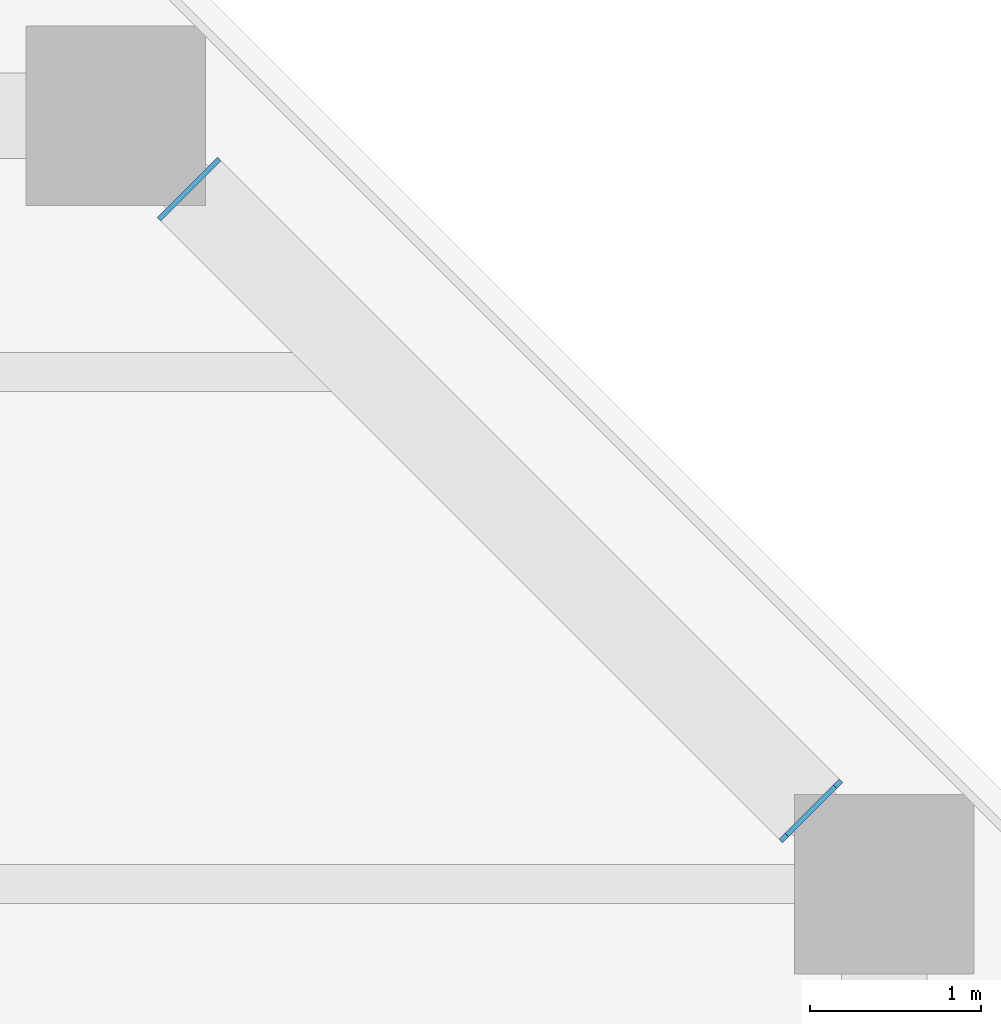
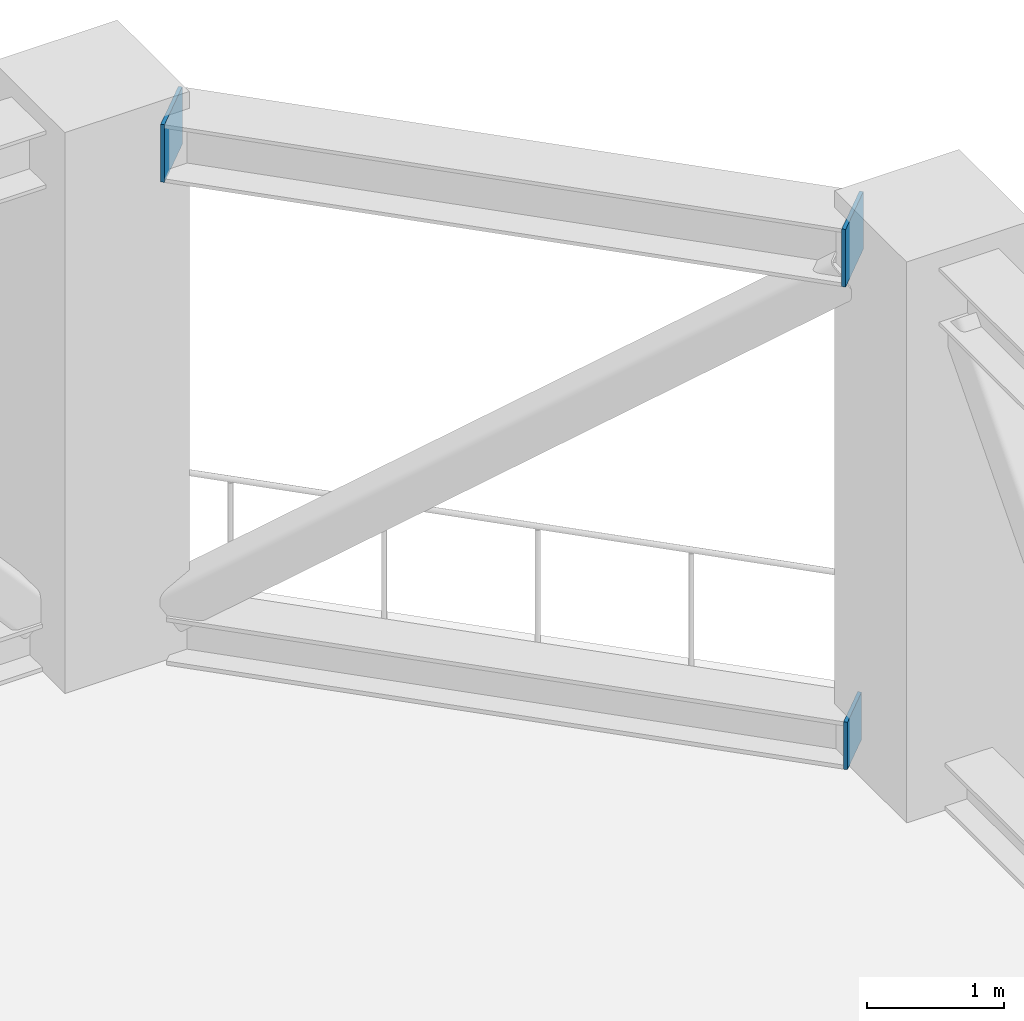
# One storey, part 12 of 14: 3 discrete accessories.
"""IFC4 building model written with IfcOpenShell, lengths in metres."""

from ifc_helpers import new_model, si_unit, direction, frame, origin, origin_2d, place, context, subcontext, project, spatial, rectangle, extrude, material, element, save


model = new_model("IFC4")

# Units and contexts
model_context = context("Model", 3, precision=1e-05, world=origin(), true_north=direction((0.0, 1.0)))
body_context = subcontext(model_context, "Body", "Model", "MODEL_VIEW")
ifc_project = project(units=[si_unit("LENGTHUNIT", "METRE"), si_unit("AREAUNIT", "SQUARE_METRE"), si_unit("VOLUMEUNIT", "CUBIC_METRE"), si_unit("PLANEANGLEUNIT", "RADIAN"), si_unit("MASSUNIT", "GRAM", prefix="KILO")], contexts=[model_context])

# Site, building, storey
site_placement = place(None, origin())
site = spatial("IfcSite", under=ifc_project, at=site_placement, CompositionType="ELEMENT")
building_placement = place(site_placement, origin())
building = spatial("IfcBuilding", under=site, at=building_placement, Name="Quoin Convention Tower", CompositionType="ELEMENT")
storey_placement = place(building_placement, frame((0.0, 0.0, 138.10009765625)))
storey = spatial("IfcBuildingStorey", under=building, at=storey_placement, Name="L36", CompositionType="ELEMENT", Elevation=138.10009765625)

# Discrete accessories
ifc_material = material(Name="Steel Grade 350", Category="steel")
discrete_accessory_placement = place(storey_placement, frame((76.070556640625, 76.929443359375, 0.0), z_axis=(0.0, 0.0, 1.0), x_axis=(0.707106781187, -0.707106781187, 0.0)))
element("IfcDiscreteAccessory", 1, at=discrete_accessory_placement, inside=storey, material=ifc_material, Name="TRUSS END PLATE TRS-L36-BC-76500_76500-72000_81000 A", ObjectType="Truss end plate", PredefinedType="USERDEFINED", context=body_context, shape_type="SweptSolid", body=[
    extrude(rectangle(XDim=0.030029296875, YDim=0.39990234375, at=origin_2d()), origin(), (0.0, 0.0, 1.0), 0.422119140625),
])
for number, where, z_axis, x_axis, name in (
    (2, (76.070556640625, 76.929443359375, 4.3359375), (0.0, 0.0, 1.0), (0.707106781187, -0.707106781187, 0.0), "TRUSS END PLATE TRS-L36-TC-76500_76500-72000_81000 A"),
    (3, (72.429443359375, 80.570556640625, 4.3359375), (0.0, 0.0, 1.0), (-0.707106781187, 0.707106781187, 0.0), "TRUSS END PLATE TRS-L36-TC-76500_76500-72000_81000 B"),
):
    element("IfcDiscreteAccessory", number, at=place(storey_placement, frame(where, z_axis=z_axis, x_axis=x_axis)), inside=storey, material=ifc_material, Name=name, ObjectType="Truss end plate", PredefinedType="USERDEFINED", context=body_context, shape_type="SweptSolid", body=[
        extrude(rectangle(XDim=0.030029296875, YDim=0.5, at=origin_2d()), origin(), (0.0, 0.0, 1.0), 0.513916015625),
    ])

save(model, "model.ifc")
